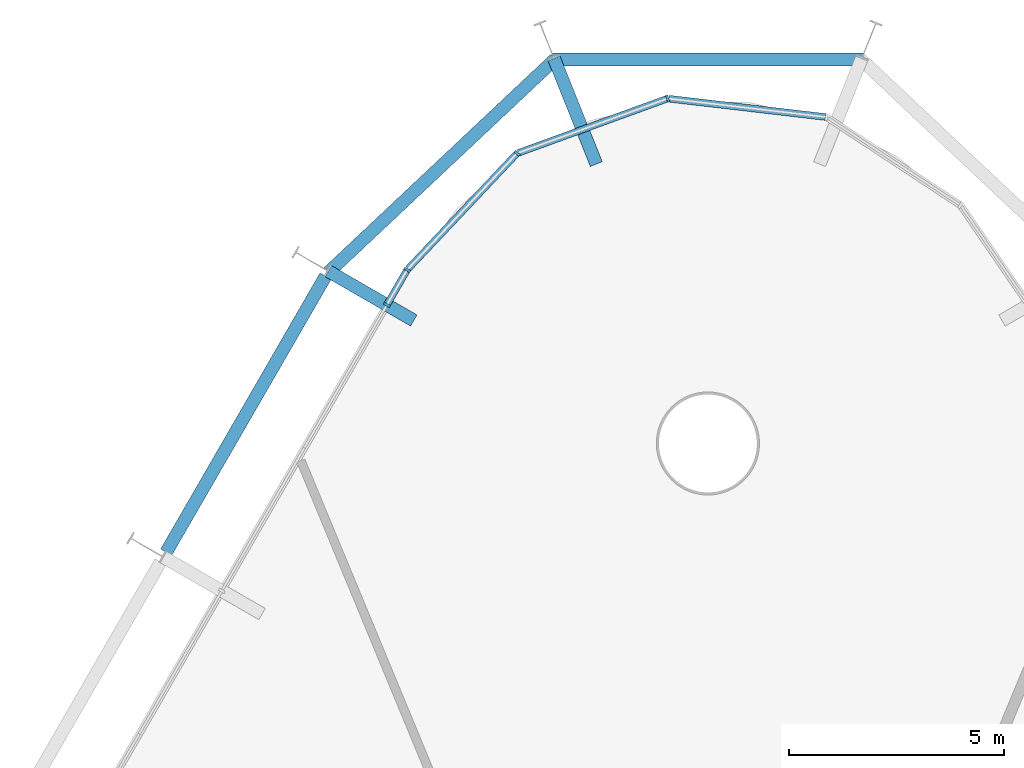
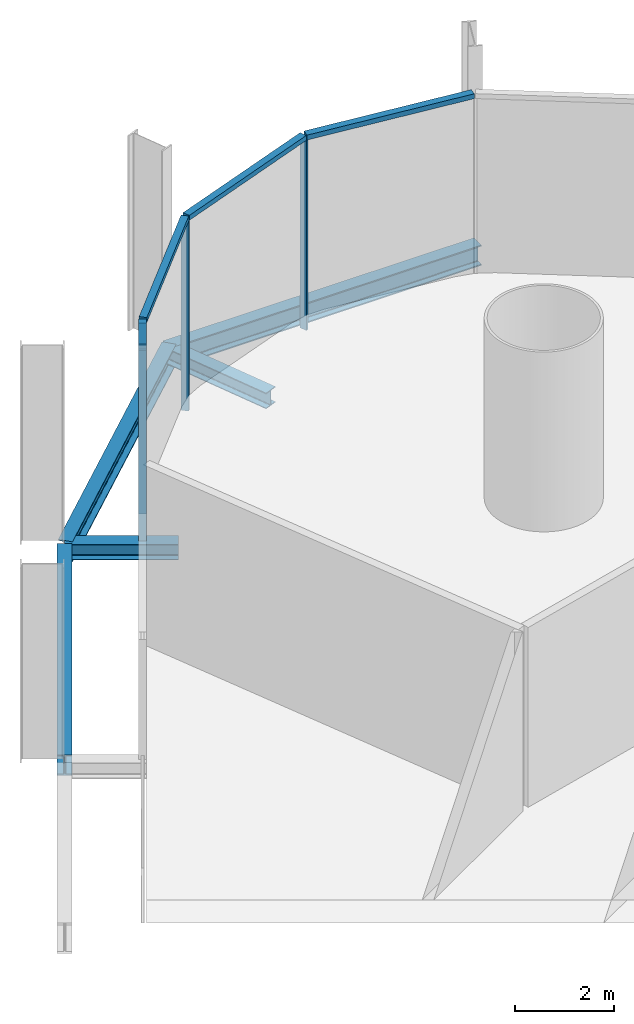
# One storey, part 9 of 17: 8 members, 5 beams, 2 elements without a shape of their own.
"""IFC4 building model written with IfcOpenShell, lengths in metres."""

from ifc_helpers import new_model, si_unit, direction, frame, origin, origin_2d, place, context, subcontext, project, spatial, rectangle, i_section, extrude, material, layer, layer_set, material_profile, profile_set, type_object, element, aggregate, save


model = new_model("IFC4")

# Units and contexts
model_context = context("Model", 3, precision=1e-05, world=origin(), true_north=direction((0.0, 1.0)))
body_context = subcontext(model_context, "Body", "Model", "MODEL_VIEW")
ifc_project = project(units=[si_unit("LENGTHUNIT", "METRE"), si_unit("AREAUNIT", "SQUARE_METRE"), si_unit("VOLUMEUNIT", "CUBIC_METRE"), si_unit("PLANEANGLEUNIT", "RADIAN"), si_unit("MASSUNIT", "GRAM", prefix="KILO")], contexts=[model_context])

# Site, building, storey
site_placement = place(None, origin())
site = spatial("IfcSite", under=ifc_project, at=site_placement, CompositionType="ELEMENT")
building_placement = place(site_placement, origin())
building = spatial("IfcBuilding", under=site, at=building_placement, Name="Spindle Arch Residences", CompositionType="ELEMENT")
storey_placement = place(building_placement, frame((0.0, 0.0, 23.39990234375)))
storey = spatial("IfcBuildingStorey", under=building, at=storey_placement, Name="L04", CompositionType="ELEMENT", Elevation=23.39990234375)

# Curtain wall, members
ifc_material_1 = material(Name="Aluminium bronze unitised frame with tinted glass", Category="aluminium")
ifc_layer_1 = layer(ifc_material_1, 0.159912109375)
ifc_layer_set_1 = layer_set([ifc_layer_1], Name="CW-D corner wall on the fillet arcs")
curtain_wall_type_1 = type_object("IfcCurtainWallType", Name="CW-D corner wall on the fillet arcs", PredefinedType="NOTDEFINED", material=ifc_layer_set_1)
curtain_wall_1_placement = place(storey_placement, origin())
curtain_wall_1 = element("IfcCurtainWall", 1, at=curtain_wall_1_placement, inside=storey, type_object=curtain_wall_type_1, Name="CW-D L04 run 3", PredefinedType="NOTDEFINED")
ifc_material_2 = material(Name="Aluminium bronze anodised mullion", Category="aluminium")
ifc_material_profile_1 = material_profile(ifc_material_2, rectangle(XDim=0.159912109375, YDim=0.06005859375, at=origin_2d()), Name="MU 60x160")
ifc_profile_set_1 = profile_set([ifc_material_profile_1], Name="Aluminium bronze anodised mullion")
member_type_1 = type_object("IfcMemberType", Name="Bronze mullion 60x160", PredefinedType="MULLION", material=ifc_profile_set_1)
member_1_placement = place(storey_placement, frame((-0.93798828125, 31.28515625, -0.3798828125), z_axis=(0.0, 0.0, 1.0), x_axis=(0.342020141538, -0.939692621437, 0.0)))
member_1 = element("IfcMember", 2, at=member_1_placement, type_object=member_type_1, Name="CW-D mullion 03", PredefinedType="MULLION", context=body_context, shape_type="SweptSolid", body=[
    extrude(rectangle(XDim=0.159912109375, YDim=0.06005859375, at=origin_2d()), origin(), (0.0, 0.0, 1.0), 4.679931640625),
])
member_2_placement = place(storey_placement, frame((-4.43994140625, 30.010498046875, -0.3798828125), z_axis=(0.0, 0.0, 1.0), x_axis=(0.727373640284, -0.686241639236, 0.0)))
member_2 = element("IfcMember", 3, at=member_2_placement, type_object=member_type_1, Name="CW-D mullion 04", PredefinedType="MULLION", context=body_context, shape_type="SweptSolid", body=[
    extrude(rectangle(XDim=0.159912109375, YDim=0.06005859375, at=origin_2d()), origin(), (0.0, 0.0, 1.0), 4.679931640625),
])
member_3_placement = place(storey_placement, frame((-6.99755859375, 27.2998046875, -0.3798828125), z_axis=(0.0, 0.0, 1.0), x_axis=(0.866025403784, -0.5, 0.0)))
member_3 = element("IfcMember", 4, at=member_3_placement, type_object=member_type_1, Name="CW-D mullion 05", PredefinedType="MULLION", context=body_context, shape_type="SweptSolid", body=[
    extrude(rectangle(XDim=0.159912109375, YDim=0.06005859375, at=origin_2d()), origin(), (0.0, 0.0, 1.0), 4.679931640625),
])

# Curtain wall, member
ifc_material_3 = material(Name="Aluminium bronze unitised frame with tinted glass", Category="aluminium")
ifc_layer_2 = layer(ifc_material_3, 0.159912109375)
ifc_layer_set_2 = layer_set([ifc_layer_2], Name="CW-B amenity podium glazed wall")
curtain_wall_type_2 = type_object("IfcCurtainWallType", Name="CW-B amenity podium glazed wall", PredefinedType="NOTDEFINED", material=ifc_layer_set_2)
curtain_wall_2_placement = place(storey_placement, origin())
curtain_wall_2 = element("IfcCurtainWall", 5, at=curtain_wall_2_placement, inside=storey, type_object=curtain_wall_type_2, Name="CW-B L04 run 4", PredefinedType="NOTDEFINED")
member_4_placement = place(storey_placement, frame((-7.46923828125, 26.48291015625, -0.3798828125), z_axis=(0.0, 0.0, 1.0), x_axis=(0.866025403784, -0.5, 0.0)))
member_4 = element("IfcMember", 6, at=member_4_placement, type_object=member_type_1, Name="CW-B mullion 13", PredefinedType="MULLION", context=body_context, shape_type="SweptSolid", body=[
    extrude(rectangle(XDim=0.159912109375, YDim=0.06005859375, at=origin_2d()), origin(), (0.0, 0.0, 1.0), 4.679931640625),
])
aggregate(curtain_wall_2, [member_4])

# Member
ifc_material_4 = material(Name="Aluminium bronze anodised transom", Category="aluminium")
ifc_material_profile_2 = material_profile(ifc_material_4, rectangle(XDim=0.159912109375, YDim=0.1201171875, at=origin_2d()), Name="TR 120x160")
ifc_profile_set_2 = profile_set([ifc_material_profile_2], Name="Aluminium bronze anodised transom")
member_type_2 = type_object("IfcMemberType", Name="Bronze transom 120x160", PredefinedType="USERDEFINED", material=ifc_profile_set_2)
member_5_placement = place(storey_placement, frame((2.733642578125, 30.85595703125, 4.360107421875), z_axis=(-0.993234881174, 0.116122654204, 0.0), x_axis=(-0.116122654204, -0.993234881174, 0.0)))
member_5 = element("IfcMember", 7, at=member_5_placement, type_object=member_type_2, Name="CW-D transom 02", ObjectType="TRANSOM", PredefinedType="USERDEFINED", context=body_context, shape_type="SweptSolid", body=[
    extrude(rectangle(XDim=0.159912109375, YDim=0.1201171875, at=origin_2d()), origin(), (0.0, 0.0, 1.0), 3.666748046875),
])

member_6_placement = place(storey_placement, frame((-0.96630859375, 31.27490234375, 4.360107421875), z_axis=(-0.939686455819, -0.342037080957, 0.0), x_axis=(0.342037080957, -0.939686455819, 0.0)))
member_6 = element("IfcMember", 8, at=member_6_placement, type_object=member_type_2, Name="CW-D transom 03", ObjectType="TRANSOM", PredefinedType="USERDEFINED", context=body_context, shape_type="SweptSolid", body=[
    extrude(rectangle(XDim=0.159912109375, YDim=0.1201171875, at=origin_2d()), origin(), (0.0, 0.0, 1.0), 3.666748046875),
])

member_7_placement = place(storey_placement, frame((-4.460693359375, 29.98876953125, 4.360107421875), z_axis=(-0.686199156324, -0.727413718498, 0.0), x_axis=(0.727413718498, -0.686199156324, 0.0)))
member_7 = element("IfcMember", 9, at=member_7_placement, type_object=member_type_2, Name="CW-D transom 04", ObjectType="TRANSOM", PredefinedType="USERDEFINED", context=body_context, shape_type="SweptSolid", body=[
    extrude(rectangle(XDim=0.159912109375, YDim=0.1201171875, at=origin_2d()), origin(), (0.0, 0.0, 1.0), 3.666748046875),
])

member_8_placement = place(storey_placement, frame((-7.012451171875, 27.27392578125, 4.360107421875), z_axis=(-0.499913830031, -0.866075148324, 0.0), x_axis=(0.866075148324, -0.499913830031, 0.0)))
member_8 = element("IfcMember", 10, at=member_8_placement, type_object=member_type_2, Name="CW-D transom 05", ObjectType="TRANSOM", PredefinedType="USERDEFINED", context=body_context, shape_type="SweptSolid", body=[
    extrude(rectangle(XDim=0.159912109375, YDim=0.1201171875, at=origin_2d()), origin(), (0.0, 0.0, 1.0), 0.883544921875),
])

aggregate(curtain_wall_1, [member_5, member_1, member_6, member_2, member_7, member_3, member_8])

# Beams
ifc_material_5 = material(Name="Steel S460ML, intumescent coating R 120", Category="steel")
ifc_material_profile_3 = material_profile(ifc_material_5, i_section(OverallWidth=0.300048828125, OverallDepth=0.5, WebThickness=0.014404296875, FlangeThickness=0.028076171875, FilletRadius=0.027099609375, at=origin_2d()), Name="HEB 500")
ifc_profile_set_3 = profile_set([ifc_material_profile_3], Name="Steel S460ML, intumescent coating R 120")
beam_type_1 = type_object("IfcBeamType", Name="Exoskeleton edge beam HEB 500", PredefinedType="BEAM", material=ifc_profile_set_3)
beam_1_placement = place(storey_placement, frame((3.6181640625, 32.188720703125, -0.6298828125), z_axis=(-1.0, 0.0, 0.0), x_axis=(0.0, -1.0, 0.0)))
element("IfcBeam", 11, at=beam_1_placement, inside=storey, type_object=beam_type_1, Name="Exoskeleton edge beam 12", PredefinedType="BEAM", context=body_context, shape_type="SweptSolid", body=[
    extrude(i_section(OverallWidth=0.300048828125, OverallDepth=0.5, WebThickness=0.014404296875, FlangeThickness=0.028076171875, FilletRadius=0.027099609375, at=origin_2d()), origin(), (0.0, 0.0, 1.0), 7.236328125),
])
beam_2_placement = place(storey_placement, frame((-3.54833984375, 32.20947265625, -0.6298828125), z_axis=(-0.728377909202, -0.685175613538, 0.0), x_axis=(0.685175613538, -0.728377909202, 0.0)))
element("IfcBeam", 12, at=beam_2_placement, inside=storey, type_object=beam_type_1, Name="Exoskeleton edge beam 13", PredefinedType="BEAM", context=body_context, shape_type="SweptSolid", body=[
    extrude(i_section(OverallWidth=0.300048828125, OverallDepth=0.5, WebThickness=0.014404296875, FlangeThickness=0.028076171875, FilletRadius=0.027099609375, at=origin_2d()), origin(), (0.0, 0.0, 1.0), 7.250244140625),
])
beam_3_placement = place(storey_placement, frame((-8.893798828125, 27.1552734375, -0.6298828125), z_axis=(-0.5000139068, -0.866017374541, 0.0), x_axis=(0.866017374541, -0.5000139068, 0.0)))
element("IfcBeam", 13, at=beam_3_placement, inside=storey, type_object=beam_type_1, Name="Exoskeleton edge beam 14", PredefinedType="BEAM", context=body_context, shape_type="SweptSolid", body=[
    extrude(i_section(OverallWidth=0.300048828125, OverallDepth=0.5, WebThickness=0.014404296875, FlangeThickness=0.028076171875, FilletRadius=0.027099609375, at=origin_2d()), origin(), (0.0, 0.0, 1.0), 7.420166015625),
])
ifc_material_6 = material(Name="Steel S460ML, intumescent coating R 120", Category="steel")
ifc_material_profile_4 = material_profile(ifc_material_6, i_section(OverallWidth=0.300048828125, OverallDepth=0.389892578125, WebThickness=0.010986328125, FlangeThickness=0.01904296875, FilletRadius=0.027099609375, at=origin_2d()), Name="HEA 400")
ifc_profile_set_4 = profile_set([ifc_material_profile_4], Name="Steel S460ML, intumescent coating R 120")
beam_type_2 = type_object("IfcBeamType", Name="Floor outrigger HEA 400", PredefinedType="BEAM", material=ifc_profile_set_4)
beam_4_placement = place(storey_placement, frame((-3.581298828125, 32.220703125, -0.574951171875), z_axis=(0.371104734129, -0.928591016706, 0.0), x_axis=(0.928591016706, 0.371104734129, 0.0)))
element("IfcBeam", 14, at=beam_4_placement, inside=storey, type_object=beam_type_2, Name="Floor outrigger 13", PredefinedType="BEAM", context=body_context, shape_type="SweptSolid", body=[
    extrude(i_section(OverallWidth=0.300048828125, OverallDepth=0.389892578125, WebThickness=0.010986328125, FlangeThickness=0.01904296875, FilletRadius=0.027099609375, at=origin_2d()), origin(), (0.0, 0.0, 1.0), 2.64990234375),
])
beam_5_placement = place(storey_placement, frame((-8.828857421875, 27.267822265625, -0.574951171875), z_axis=(0.866020755578, -0.500008050843, 0.0), x_axis=(0.500008050843, 0.866020755578, 0.0)))
element("IfcBeam", 15, at=beam_5_placement, inside=storey, type_object=beam_type_2, Name="Floor outrigger 14", PredefinedType="BEAM", context=body_context, shape_type="SweptSolid", body=[
    extrude(i_section(OverallWidth=0.300048828125, OverallDepth=0.389892578125, WebThickness=0.010986328125, FlangeThickness=0.01904296875, FilletRadius=0.027099609375, at=origin_2d()), origin(), (0.0, 0.0, 1.0), 2.2939453125),
])

save(model, "model.ifc")
